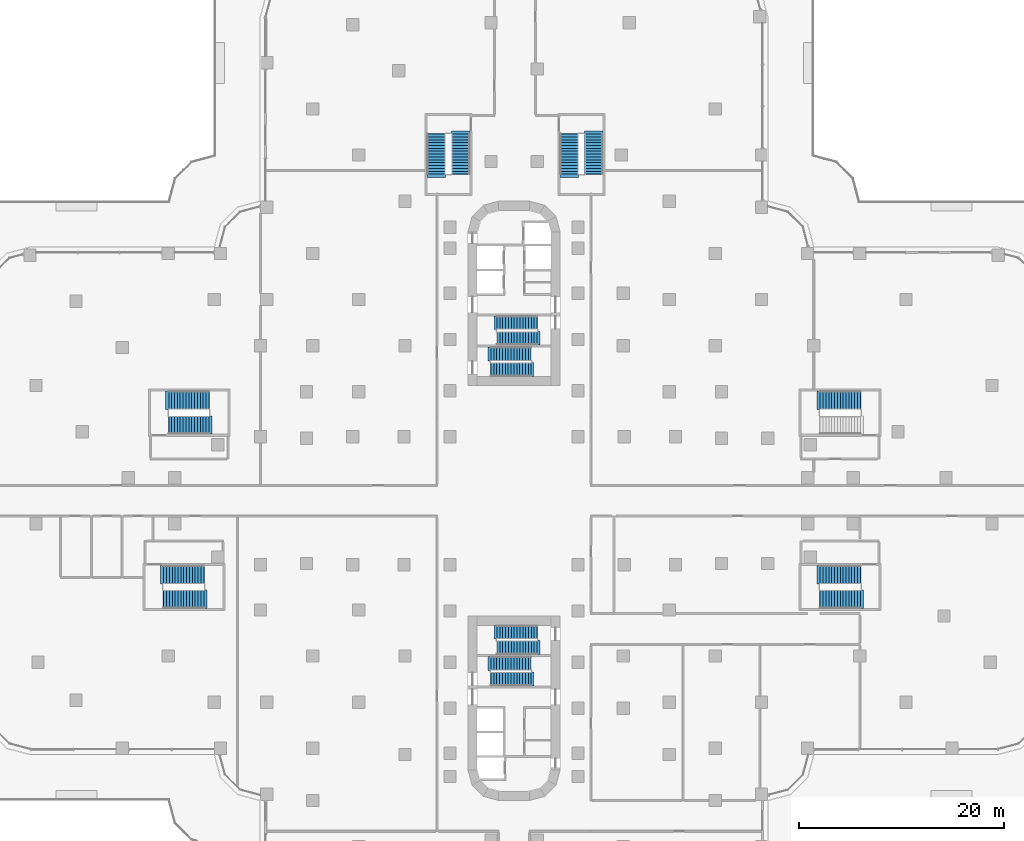
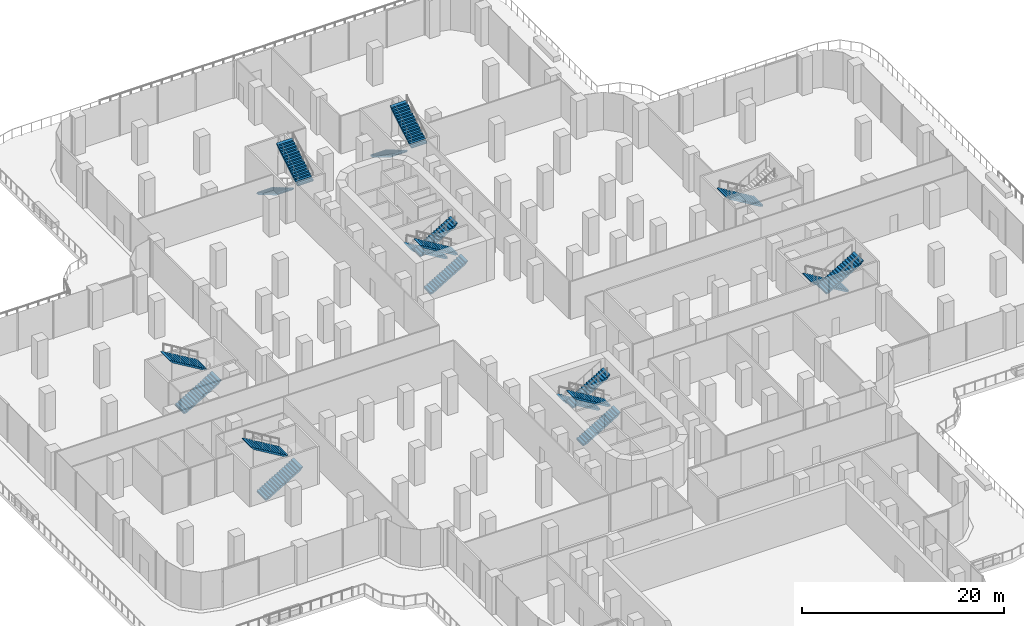
# One storey, part 23 of 30: 19 stair flights, 10 elements without a shape of their own.
"""IFC4 building model written with IfcOpenShell, lengths in metres."""

from ifc_helpers import new_model, si_unit, direction, frame, origin, place, context, subcontext, project, spatial, polyline, outline, extrude, material, type_object, element, aggregate, save


model = new_model("IFC4")

# Units and contexts
model_context = context("Model", 3, precision=1e-05, world=origin(), true_north=direction((0.0, 1.0)))
body_context = subcontext(model_context, "Body", "Model", "MODEL_VIEW")
ifc_project = project(units=[si_unit("LENGTHUNIT", "METRE"), si_unit("AREAUNIT", "SQUARE_METRE"), si_unit("VOLUMEUNIT", "CUBIC_METRE"), si_unit("PLANEANGLEUNIT", "RADIAN"), si_unit("MASSUNIT", "GRAM", prefix="KILO")], contexts=[model_context])

# Site, building, storey
site_placement = place(None, origin())
site = spatial("IfcSite", under=ifc_project, at=site_placement, CompositionType="ELEMENT")
building_placement = place(site_placement, origin())
building = spatial("IfcBuilding", under=site, at=building_placement, Name="Zarbagh Exchange Tower", CompositionType="ELEMENT")
storey_placement = place(building_placement, frame((0.0, 0.0, 7.0)))
storey = spatial("IfcBuildingStorey", under=building, at=storey_placement, Name="L01", CompositionType="ELEMENT", Elevation=7.0)

# Stair, stair flights
ifc_material = material(Name="Concrete C40/50", Category="concrete")
stair_type = type_object("IfcStairType", Name="Exit stair two-flight half-turn", PredefinedType="HALF_TURN_STAIR", material=ifc_material)
stair_1_placement = place(storey_placement, origin())
stair_1 = element("IfcStair", 1, at=stair_1_placement, inside=storey, type_object=stair_type, Name="exit stair ST1", PredefinedType="HALF_TURN_STAIR")
stair_flight_type_1 = type_object("IfcStairFlightType", Name="Stair flight 1350 mm", PredefinedType="STRAIGHT", material=ifc_material)
stair_flight_1_placement = place(storey_placement, frame((2.25, 17.375, 0.0), z_axis=(0.0, 0.0, 1.0), x_axis=(-1.0, 0.0, 0.0)))
stair_flight_1 = element("IfcStairFlight", 2, at=stair_flight_1_placement, type_object=stair_flight_type_1, Name="ST1 flight 1", NumberOfRisers=15, NumberOfTreads=14, PredefinedType="STRAIGHT", RiserHeight=0.166666667, TreadLength=0.28, context=body_context, shape_type="SweptSolid", body=[
    extrude(outline(polyline([(-0.050048828125, -0.050048828125), (-0.050048828125, 0.0), (0.0, 0.0), (0.0, 0.166748046875), (0.280029296875, 0.166748046875), (0.280029296875, 0.333251953125), (0.56005859375, 0.333251953125), (0.56005859375, 0.5), (0.840087890625, 0.5), (0.840087890625, 0.666748046875), (1.1201171875, 0.666748046875), (1.1201171875, 0.833251953125), (1.39990234375, 0.833251953125), (1.39990234375, 1.0), (1.679931640625, 1.0), (1.679931640625, 1.166748046875), (1.9599609375, 1.166748046875), (1.9599609375, 1.333251953125), (2.239990234375, 1.333251953125), (2.239990234375, 1.5), (2.52001953125, 1.5), (2.52001953125, 1.666748046875), (2.800048828125, 1.666748046875), (2.800048828125, 1.833251953125), (3.080078125, 1.833251953125), (3.080078125, 2.0), (3.360107421875, 2.0), (3.360107421875, 2.166748046875), (3.639892578125, 2.166748046875), (3.639892578125, 2.333251953125), (3.919921875, 2.333251953125), (3.919921875, 2.5), (4.219970703125, 2.580078125), (4.219970703125, 2.5), (3.919921875, 2.158935546875), (0.29296875, 0.0), (-0.050048828125, -0.050048828125)])), frame((0.0, 0.675048828125, 0.0), z_axis=(0.0, -1.0, 0.0), x_axis=(1.0, 0.0, 0.0)), (0.0, 0.0, 1.0), 1.35009765625),
])
stair_flight_2_placement = place(storey_placement, frame((-1.669921875, 15.875, 2.5), z_axis=(0.0, 0.0, 1.0), x_axis=(1.0, 0.0, 0.0)))
stair_flight_2 = element("IfcStairFlight", 3, at=stair_flight_2_placement, type_object=stair_flight_type_1, Name="ST1 flight 2", NumberOfRisers=15, NumberOfTreads=14, PredefinedType="STRAIGHT", RiserHeight=0.166666667, TreadLength=0.28, context=body_context, shape_type="SweptSolid", body=[
    extrude(outline(polyline([(-0.050048828125, -0.050048828125), (-0.050048828125, 0.0), (0.0, 0.0), (0.0, 0.166748046875), (0.280029296875, 0.166748046875), (0.280029296875, 0.333251953125), (0.56005859375, 0.333251953125), (0.56005859375, 0.5), (0.840087890625, 0.5), (0.840087890625, 0.666748046875), (1.1201171875, 0.666748046875), (1.1201171875, 0.833251953125), (1.39990234375, 0.833251953125), (1.39990234375, 1.0), (1.679931640625, 1.0), (1.679931640625, 1.166748046875), (1.9599609375, 1.166748046875), (1.9599609375, 1.333251953125), (2.239990234375, 1.333251953125), (2.239990234375, 1.5), (2.52001953125, 1.5), (2.52001953125, 1.666748046875), (2.800048828125, 1.666748046875), (2.800048828125, 1.833251953125), (3.080078125, 1.833251953125), (3.080078125, 2.0), (3.360107421875, 2.0), (3.360107421875, 2.166748046875), (3.639892578125, 2.166748046875), (3.639892578125, 2.333251953125), (3.919921875, 2.333251953125), (3.919921875, 2.5), (4.219970703125, 2.580078125), (4.219970703125, 2.5), (3.919921875, 2.158935546875), (0.29296875, 0.0), (-0.050048828125, -0.050048828125)])), frame((0.0, 0.675048828125, 0.0), z_axis=(0.0, -1.0, 0.0), x_axis=(1.0, 0.0, 0.0)), (0.0, 0.0, 1.0), 1.35009765625),
])
aggregate(stair_1, [stair_flight_1, stair_flight_2])

stair_2_placement = place(storey_placement, origin())
stair_2 = element("IfcStair", 4, at=stair_2_placement, inside=storey, type_object=stair_type, Name="exit stair ST2", PredefinedType="HALF_TURN_STAIR")
stair_flight_3_placement = place(storey_placement, frame((-2.25, 12.824951171875, 0.0), z_axis=(0.0, 0.0, 1.0), x_axis=(1.0, 0.0, 0.0)))
stair_flight_3 = element("IfcStairFlight", 5, at=stair_flight_3_placement, type_object=stair_flight_type_1, Name="ST2 flight 1", NumberOfRisers=15, NumberOfTreads=14, PredefinedType="STRAIGHT", RiserHeight=0.166666667, TreadLength=0.28, context=body_context, shape_type="SweptSolid", body=[
    extrude(outline(polyline([(-0.050048828125, -0.050048828125), (-0.050048828125, 0.0), (0.0, 0.0), (0.0, 0.166748046875), (0.280029296875, 0.166748046875), (0.280029296875, 0.333251953125), (0.56005859375, 0.333251953125), (0.56005859375, 0.5), (0.840087890625, 0.5), (0.840087890625, 0.666748046875), (1.1201171875, 0.666748046875), (1.1201171875, 0.833251953125), (1.39990234375, 0.833251953125), (1.39990234375, 1.0), (1.679931640625, 1.0), (1.679931640625, 1.166748046875), (1.9599609375, 1.166748046875), (1.9599609375, 1.333251953125), (2.239990234375, 1.333251953125), (2.239990234375, 1.5), (2.52001953125, 1.5), (2.52001953125, 1.666748046875), (2.800048828125, 1.666748046875), (2.800048828125, 1.833251953125), (3.080078125, 1.833251953125), (3.080078125, 2.0), (3.360107421875, 2.0), (3.360107421875, 2.166748046875), (3.639892578125, 2.166748046875), (3.639892578125, 2.333251953125), (3.919921875, 2.333251953125), (3.919921875, 2.5), (4.219970703125, 2.580078125), (4.219970703125, 2.5), (3.919921875, 2.158935546875), (0.29296875, 0.0), (-0.050048828125, -0.050048828125)])), frame((0.0, 0.675048828125, 0.0), z_axis=(0.0, -1.0, 0.0), x_axis=(1.0, 0.0, 0.0)), (0.0, 0.0, 1.0), 1.35009765625),
])
stair_flight_4_placement = place(storey_placement, frame((1.669921875, 14.324951171875, 2.5), z_axis=(0.0, 0.0, 1.0), x_axis=(-1.0, 0.0, 0.0)))
stair_flight_4 = element("IfcStairFlight", 6, at=stair_flight_4_placement, type_object=stair_flight_type_1, Name="ST2 flight 2", NumberOfRisers=15, NumberOfTreads=14, PredefinedType="STRAIGHT", RiserHeight=0.166666667, TreadLength=0.28, context=body_context, shape_type="SweptSolid", body=[
    extrude(outline(polyline([(-0.050048828125, -0.050048828125), (-0.050048828125, 0.0), (0.0, 0.0), (0.0, 0.166748046875), (0.280029296875, 0.166748046875), (0.280029296875, 0.333251953125), (0.56005859375, 0.333251953125), (0.56005859375, 0.5), (0.840087890625, 0.5), (0.840087890625, 0.666748046875), (1.1201171875, 0.666748046875), (1.1201171875, 0.833251953125), (1.39990234375, 0.833251953125), (1.39990234375, 1.0), (1.679931640625, 1.0), (1.679931640625, 1.166748046875), (1.9599609375, 1.166748046875), (1.9599609375, 1.333251953125), (2.239990234375, 1.333251953125), (2.239990234375, 1.5), (2.52001953125, 1.5), (2.52001953125, 1.666748046875), (2.800048828125, 1.666748046875), (2.800048828125, 1.833251953125), (3.080078125, 1.833251953125), (3.080078125, 2.0), (3.360107421875, 2.0), (3.360107421875, 2.166748046875), (3.639892578125, 2.166748046875), (3.639892578125, 2.333251953125), (3.919921875, 2.333251953125), (3.919921875, 2.5), (4.219970703125, 2.580078125), (4.219970703125, 2.5), (3.919921875, 2.158935546875), (0.29296875, 0.0), (-0.050048828125, -0.050048828125)])), frame((0.0, 0.675048828125, 0.0), z_axis=(0.0, -1.0, 0.0), x_axis=(1.0, 0.0, 0.0)), (0.0, 0.0, 1.0), 1.35009765625),
])
aggregate(stair_2, [stair_flight_3, stair_flight_4])

stair_3_placement = place(storey_placement, origin())
stair_3 = element("IfcStair", 7, at=stair_3_placement, inside=storey, type_object=stair_type, Name="exit stair ST3", PredefinedType="HALF_TURN_STAIR")
stair_flight_5_placement = place(storey_placement, frame((-2.25, -17.375, 0.0), z_axis=(0.0, 0.0, 1.0), x_axis=(1.0, 0.0, 0.0)))
stair_flight_5 = element("IfcStairFlight", 8, at=stair_flight_5_placement, type_object=stair_flight_type_1, Name="ST3 flight 1", NumberOfRisers=15, NumberOfTreads=14, PredefinedType="STRAIGHT", RiserHeight=0.166666667, TreadLength=0.28, context=body_context, shape_type="SweptSolid", body=[
    extrude(outline(polyline([(-0.050048828125, -0.050048828125), (-0.050048828125, 0.0), (0.0, 0.0), (0.0, 0.166748046875), (0.280029296875, 0.166748046875), (0.280029296875, 0.333251953125), (0.56005859375, 0.333251953125), (0.56005859375, 0.5), (0.840087890625, 0.5), (0.840087890625, 0.666748046875), (1.1201171875, 0.666748046875), (1.1201171875, 0.833251953125), (1.39990234375, 0.833251953125), (1.39990234375, 1.0), (1.679931640625, 1.0), (1.679931640625, 1.166748046875), (1.9599609375, 1.166748046875), (1.9599609375, 1.333251953125), (2.239990234375, 1.333251953125), (2.239990234375, 1.5), (2.52001953125, 1.5), (2.52001953125, 1.666748046875), (2.800048828125, 1.666748046875), (2.800048828125, 1.833251953125), (3.080078125, 1.833251953125), (3.080078125, 2.0), (3.360107421875, 2.0), (3.360107421875, 2.166748046875), (3.639892578125, 2.166748046875), (3.639892578125, 2.333251953125), (3.919921875, 2.333251953125), (3.919921875, 2.5), (4.219970703125, 2.580078125), (4.219970703125, 2.5), (3.919921875, 2.158935546875), (0.29296875, 0.0), (-0.050048828125, -0.050048828125)])), frame((0.0, 0.675048828125, 0.0), z_axis=(0.0, -1.0, 0.0), x_axis=(1.0, 0.0, 0.0)), (0.0, 0.0, 1.0), 1.35009765625),
])
stair_flight_6_placement = place(storey_placement, frame((1.669921875, -15.875, 2.5), z_axis=(0.0, 0.0, 1.0), x_axis=(-1.0, 0.0, 0.0)))
stair_flight_6 = element("IfcStairFlight", 9, at=stair_flight_6_placement, type_object=stair_flight_type_1, Name="ST3 flight 2", NumberOfRisers=15, NumberOfTreads=14, PredefinedType="STRAIGHT", RiserHeight=0.166666667, TreadLength=0.28, context=body_context, shape_type="SweptSolid", body=[
    extrude(outline(polyline([(-0.050048828125, -0.050048828125), (-0.050048828125, 0.0), (0.0, 0.0), (0.0, 0.166748046875), (0.280029296875, 0.166748046875), (0.280029296875, 0.333251953125), (0.56005859375, 0.333251953125), (0.56005859375, 0.5), (0.840087890625, 0.5), (0.840087890625, 0.666748046875), (1.1201171875, 0.666748046875), (1.1201171875, 0.833251953125), (1.39990234375, 0.833251953125), (1.39990234375, 1.0), (1.679931640625, 1.0), (1.679931640625, 1.166748046875), (1.9599609375, 1.166748046875), (1.9599609375, 1.333251953125), (2.239990234375, 1.333251953125), (2.239990234375, 1.5), (2.52001953125, 1.5), (2.52001953125, 1.666748046875), (2.800048828125, 1.666748046875), (2.800048828125, 1.833251953125), (3.080078125, 1.833251953125), (3.080078125, 2.0), (3.360107421875, 2.0), (3.360107421875, 2.166748046875), (3.639892578125, 2.166748046875), (3.639892578125, 2.333251953125), (3.919921875, 2.333251953125), (3.919921875, 2.5), (4.219970703125, 2.580078125), (4.219970703125, 2.5), (3.919921875, 2.158935546875), (0.29296875, 0.0), (-0.050048828125, -0.050048828125)])), frame((0.0, 0.675048828125, 0.0), z_axis=(0.0, -1.0, 0.0), x_axis=(1.0, 0.0, 0.0)), (0.0, 0.0, 1.0), 1.35009765625),
])
aggregate(stair_3, [stair_flight_5, stair_flight_6])

stair_4_placement = place(storey_placement, origin())
stair_4 = element("IfcStair", 10, at=stair_4_placement, inside=storey, type_object=stair_type, Name="exit stair ST4", PredefinedType="HALF_TURN_STAIR")
stair_flight_7_placement = place(storey_placement, frame((2.25, -12.824951171875, 0.0), z_axis=(0.0, 0.0, 1.0), x_axis=(-1.0, 0.0, 0.0)))
stair_flight_7 = element("IfcStairFlight", 11, at=stair_flight_7_placement, type_object=stair_flight_type_1, Name="ST4 flight 1", NumberOfRisers=15, NumberOfTreads=14, PredefinedType="STRAIGHT", RiserHeight=0.166666667, TreadLength=0.28, context=body_context, shape_type="SweptSolid", body=[
    extrude(outline(polyline([(-0.050048828125, -0.050048828125), (-0.050048828125, 0.0), (0.0, 0.0), (0.0, 0.166748046875), (0.280029296875, 0.166748046875), (0.280029296875, 0.333251953125), (0.56005859375, 0.333251953125), (0.56005859375, 0.5), (0.840087890625, 0.5), (0.840087890625, 0.666748046875), (1.1201171875, 0.666748046875), (1.1201171875, 0.833251953125), (1.39990234375, 0.833251953125), (1.39990234375, 1.0), (1.679931640625, 1.0), (1.679931640625, 1.166748046875), (1.9599609375, 1.166748046875), (1.9599609375, 1.333251953125), (2.239990234375, 1.333251953125), (2.239990234375, 1.5), (2.52001953125, 1.5), (2.52001953125, 1.666748046875), (2.800048828125, 1.666748046875), (2.800048828125, 1.833251953125), (3.080078125, 1.833251953125), (3.080078125, 2.0), (3.360107421875, 2.0), (3.360107421875, 2.166748046875), (3.639892578125, 2.166748046875), (3.639892578125, 2.333251953125), (3.919921875, 2.333251953125), (3.919921875, 2.5), (4.219970703125, 2.580078125), (4.219970703125, 2.5), (3.919921875, 2.158935546875), (0.29296875, 0.0), (-0.050048828125, -0.050048828125)])), frame((0.0, 0.675048828125, 0.0), z_axis=(0.0, -1.0, 0.0), x_axis=(1.0, 0.0, 0.0)), (0.0, 0.0, 1.0), 1.35009765625),
])
stair_flight_8_placement = place(storey_placement, frame((-1.669921875, -14.324951171875, 2.5), z_axis=(0.0, 0.0, 1.0), x_axis=(1.0, 0.0, 0.0)))
stair_flight_8 = element("IfcStairFlight", 12, at=stair_flight_8_placement, type_object=stair_flight_type_1, Name="ST4 flight 2", NumberOfRisers=15, NumberOfTreads=14, PredefinedType="STRAIGHT", RiserHeight=0.166666667, TreadLength=0.28, context=body_context, shape_type="SweptSolid", body=[
    extrude(outline(polyline([(-0.050048828125, -0.050048828125), (-0.050048828125, 0.0), (0.0, 0.0), (0.0, 0.166748046875), (0.280029296875, 0.166748046875), (0.280029296875, 0.333251953125), (0.56005859375, 0.333251953125), (0.56005859375, 0.5), (0.840087890625, 0.5), (0.840087890625, 0.666748046875), (1.1201171875, 0.666748046875), (1.1201171875, 0.833251953125), (1.39990234375, 0.833251953125), (1.39990234375, 1.0), (1.679931640625, 1.0), (1.679931640625, 1.166748046875), (1.9599609375, 1.166748046875), (1.9599609375, 1.333251953125), (2.239990234375, 1.333251953125), (2.239990234375, 1.5), (2.52001953125, 1.5), (2.52001953125, 1.666748046875), (2.800048828125, 1.666748046875), (2.800048828125, 1.833251953125), (3.080078125, 1.833251953125), (3.080078125, 2.0), (3.360107421875, 2.0), (3.360107421875, 2.166748046875), (3.639892578125, 2.166748046875), (3.639892578125, 2.333251953125), (3.919921875, 2.333251953125), (3.919921875, 2.5), (4.219970703125, 2.580078125), (4.219970703125, 2.5), (3.919921875, 2.158935546875), (0.29296875, 0.0), (-0.050048828125, -0.050048828125)])), frame((0.0, 0.675048828125, 0.0), z_axis=(0.0, -1.0, 0.0), x_axis=(1.0, 0.0, 0.0)), (0.0, 0.0, 1.0), 1.35009765625),
])
aggregate(stair_4, [stair_flight_7, stair_flight_8])

stair_5_placement = place(storey_placement, origin())
stair_5 = element("IfcStair", 13, at=stair_5_placement, inside=storey, type_object=stair_type, Name="exit stair PS1", PredefinedType="HALF_TURN_STAIR")
stair_flight_type_2 = type_object("IfcStairFlightType", Name="Stair flight 1800 mm", PredefinedType="STRAIGHT", material=ifc_material)
stair_flight_9_placement = place(storey_placement, frame((-7.60009765625, 35.800048828125, 0.0), z_axis=(0.0, 0.0, 1.0), x_axis=(0.0, -1.0, 0.0)))
stair_flight_9 = element("IfcStairFlight", 14, at=stair_flight_9_placement, type_object=stair_flight_type_2, Name="PS1 flight 1", NumberOfRisers=15, NumberOfTreads=14, PredefinedType="STRAIGHT", RiserHeight=0.166666667, TreadLength=0.28, context=body_context, shape_type="SweptSolid", body=[
    extrude(outline(polyline([(-0.050048828125, -0.050048828125), (-0.050048828125, 0.0), (0.0, 0.0), (0.0, 0.166748046875), (0.280029296875, 0.166748046875), (0.280029296875, 0.333251953125), (0.56005859375, 0.333251953125), (0.56005859375, 0.5), (0.840087890625, 0.5), (0.840087890625, 0.666748046875), (1.1201171875, 0.666748046875), (1.1201171875, 0.833251953125), (1.39990234375, 0.833251953125), (1.39990234375, 1.0), (1.679931640625, 1.0), (1.679931640625, 1.166748046875), (1.9599609375, 1.166748046875), (1.9599609375, 1.333251953125), (2.239990234375, 1.333251953125), (2.239990234375, 1.5), (2.52001953125, 1.5), (2.52001953125, 1.666748046875), (2.800048828125, 1.666748046875), (2.800048828125, 1.833251953125), (3.080078125, 1.833251953125), (3.080078125, 2.0), (3.360107421875, 2.0), (3.360107421875, 2.166748046875), (3.639892578125, 2.166748046875), (3.639892578125, 2.333251953125), (3.919921875, 2.333251953125), (3.919921875, 2.5), (4.219970703125, 2.580078125), (4.219970703125, 2.5), (3.919921875, 2.158935546875), (0.29296875, 0.0), (-0.050048828125, -0.050048828125)])), frame((0.0, 0.89990234375, 0.0), z_axis=(0.0, -1.0, 0.0), x_axis=(1.0, 0.0, 0.0)), (0.0, 0.0, 1.0), 1.800048828125),
])
stair_flight_10_placement = place(storey_placement, frame((-5.199951171875, 31.8798828125, 2.5), z_axis=(0.0, 0.0, 1.0), x_axis=(0.0, 1.0, 0.0)))
stair_flight_10 = element("IfcStairFlight", 15, at=stair_flight_10_placement, type_object=stair_flight_type_2, Name="PS1 flight 2", NumberOfRisers=15, NumberOfTreads=14, PredefinedType="STRAIGHT", RiserHeight=0.166666667, TreadLength=0.28, context=body_context, shape_type="SweptSolid", body=[
    extrude(outline(polyline([(-0.050048828125, -0.050048828125), (-0.050048828125, 0.0), (0.0, 0.0), (0.0, 0.166748046875), (0.280029296875, 0.166748046875), (0.280029296875, 0.333251953125), (0.56005859375, 0.333251953125), (0.56005859375, 0.5), (0.840087890625, 0.5), (0.840087890625, 0.666748046875), (1.1201171875, 0.666748046875), (1.1201171875, 0.833251953125), (1.39990234375, 0.833251953125), (1.39990234375, 1.0), (1.679931640625, 1.0), (1.679931640625, 1.166748046875), (1.9599609375, 1.166748046875), (1.9599609375, 1.333251953125), (2.239990234375, 1.333251953125), (2.239990234375, 1.5), (2.52001953125, 1.5), (2.52001953125, 1.666748046875), (2.800048828125, 1.666748046875), (2.800048828125, 1.833251953125), (3.080078125, 1.833251953125), (3.080078125, 2.0), (3.360107421875, 2.0), (3.360107421875, 2.166748046875), (3.639892578125, 2.166748046875), (3.639892578125, 2.333251953125), (3.919921875, 2.333251953125), (3.919921875, 2.5), (4.219970703125, 2.580078125), (4.219970703125, 2.5), (3.919921875, 2.158935546875), (0.29296875, 0.0), (-0.050048828125, -0.050048828125)])), frame((0.0, 0.89990234375, 0.0), z_axis=(0.0, -1.0, 0.0), x_axis=(1.0, 0.0, 0.0)), (0.0, 0.0, 1.0), 1.800048828125),
])
aggregate(stair_5, [stair_flight_9, stair_flight_10])

stair_6_placement = place(storey_placement, origin())
stair_6 = element("IfcStair", 16, at=stair_6_placement, inside=storey, type_object=stair_type, Name="exit stair PS2", PredefinedType="HALF_TURN_STAIR")
stair_flight_11_placement = place(storey_placement, frame((5.39990234375, 35.800048828125, 0.0), z_axis=(0.0, 0.0, 1.0), x_axis=(0.0, -1.0, 0.0)))
stair_flight_11 = element("IfcStairFlight", 17, at=stair_flight_11_placement, type_object=stair_flight_type_2, Name="PS2 flight 1", NumberOfRisers=15, NumberOfTreads=14, PredefinedType="STRAIGHT", RiserHeight=0.166666667, TreadLength=0.28, context=body_context, shape_type="SweptSolid", body=[
    extrude(outline(polyline([(-0.050048828125, -0.050048828125), (-0.050048828125, 0.0), (0.0, 0.0), (0.0, 0.166748046875), (0.280029296875, 0.166748046875), (0.280029296875, 0.333251953125), (0.56005859375, 0.333251953125), (0.56005859375, 0.5), (0.840087890625, 0.5), (0.840087890625, 0.666748046875), (1.1201171875, 0.666748046875), (1.1201171875, 0.833251953125), (1.39990234375, 0.833251953125), (1.39990234375, 1.0), (1.679931640625, 1.0), (1.679931640625, 1.166748046875), (1.9599609375, 1.166748046875), (1.9599609375, 1.333251953125), (2.239990234375, 1.333251953125), (2.239990234375, 1.5), (2.52001953125, 1.5), (2.52001953125, 1.666748046875), (2.800048828125, 1.666748046875), (2.800048828125, 1.833251953125), (3.080078125, 1.833251953125), (3.080078125, 2.0), (3.360107421875, 2.0), (3.360107421875, 2.166748046875), (3.639892578125, 2.166748046875), (3.639892578125, 2.333251953125), (3.919921875, 2.333251953125), (3.919921875, 2.5), (4.219970703125, 2.580078125), (4.219970703125, 2.5), (3.919921875, 2.158935546875), (0.29296875, 0.0), (-0.050048828125, -0.050048828125)])), frame((0.0, 0.89990234375, 0.0), z_axis=(0.0, -1.0, 0.0), x_axis=(1.0, 0.0, 0.0)), (0.0, 0.0, 1.0), 1.800048828125),
])
stair_flight_12_placement = place(storey_placement, frame((7.800048828125, 31.8798828125, 2.5), z_axis=(0.0, 0.0, 1.0), x_axis=(0.0, 1.0, 0.0)))
stair_flight_12 = element("IfcStairFlight", 18, at=stair_flight_12_placement, type_object=stair_flight_type_2, Name="PS2 flight 2", NumberOfRisers=15, NumberOfTreads=14, PredefinedType="STRAIGHT", RiserHeight=0.166666667, TreadLength=0.28, context=body_context, shape_type="SweptSolid", body=[
    extrude(outline(polyline([(-0.050048828125, -0.050048828125), (-0.050048828125, 0.0), (0.0, 0.0), (0.0, 0.166748046875), (0.280029296875, 0.166748046875), (0.280029296875, 0.333251953125), (0.56005859375, 0.333251953125), (0.56005859375, 0.5), (0.840087890625, 0.5), (0.840087890625, 0.666748046875), (1.1201171875, 0.666748046875), (1.1201171875, 0.833251953125), (1.39990234375, 0.833251953125), (1.39990234375, 1.0), (1.679931640625, 1.0), (1.679931640625, 1.166748046875), (1.9599609375, 1.166748046875), (1.9599609375, 1.333251953125), (2.239990234375, 1.333251953125), (2.239990234375, 1.5), (2.52001953125, 1.5), (2.52001953125, 1.666748046875), (2.800048828125, 1.666748046875), (2.800048828125, 1.833251953125), (3.080078125, 1.833251953125), (3.080078125, 2.0), (3.360107421875, 2.0), (3.360107421875, 2.166748046875), (3.639892578125, 2.166748046875), (3.639892578125, 2.333251953125), (3.919921875, 2.333251953125), (3.919921875, 2.5), (4.219970703125, 2.580078125), (4.219970703125, 2.5), (3.919921875, 2.158935546875), (0.29296875, 0.0), (-0.050048828125, -0.050048828125)])), frame((0.0, 0.89990234375, 0.0), z_axis=(0.0, -1.0, 0.0), x_axis=(1.0, 0.0, 0.0)), (0.0, 0.0, 1.0), 1.800048828125),
])
aggregate(stair_6, [stair_flight_11, stair_flight_12])

# Stair, stair flight
stair_7_placement = place(storey_placement, origin())
stair_7 = element("IfcStair", 19, at=stair_7_placement, inside=storey, type_object=stair_type, Name="exit stair PS3", PredefinedType="HALF_TURN_STAIR")
stair_flight_13_placement = place(storey_placement, frame((33.800048828125, 9.800048828125, 0.0), z_axis=(0.0, 0.0, 1.0), x_axis=(-1.0, 0.0, 0.0)))
stair_flight_13 = element("IfcStairFlight", 20, at=stair_flight_13_placement, type_object=stair_flight_type_2, Name="PS3 flight 1", NumberOfRisers=15, NumberOfTreads=14, PredefinedType="STRAIGHT", RiserHeight=0.166666667, TreadLength=0.28, context=body_context, shape_type="SweptSolid", body=[
    extrude(outline(polyline([(-0.050048828125, -0.050048828125), (-0.050048828125, 0.0), (0.0, 0.0), (0.0, 0.166748046875), (0.280029296875, 0.166748046875), (0.280029296875, 0.333251953125), (0.56005859375, 0.333251953125), (0.56005859375, 0.5), (0.840087890625, 0.5), (0.840087890625, 0.666748046875), (1.1201171875, 0.666748046875), (1.1201171875, 0.833251953125), (1.39990234375, 0.833251953125), (1.39990234375, 1.0), (1.679931640625, 1.0), (1.679931640625, 1.166748046875), (1.9599609375, 1.166748046875), (1.9599609375, 1.333251953125), (2.239990234375, 1.333251953125), (2.239990234375, 1.5), (2.52001953125, 1.5), (2.52001953125, 1.666748046875), (2.800048828125, 1.666748046875), (2.800048828125, 1.833251953125), (3.080078125, 1.833251953125), (3.080078125, 2.0), (3.360107421875, 2.0), (3.360107421875, 2.166748046875), (3.639892578125, 2.166748046875), (3.639892578125, 2.333251953125), (3.919921875, 2.333251953125), (3.919921875, 2.5), (4.219970703125, 2.580078125), (4.219970703125, 2.5), (3.919921875, 2.158935546875), (0.29296875, 0.0), (-0.050048828125, -0.050048828125)])), frame((0.0, 0.89990234375, 0.0), z_axis=(0.0, -1.0, 0.0), x_axis=(1.0, 0.0, 0.0)), (0.0, 0.0, 1.0), 1.800048828125),
])
aggregate(stair_7, [stair_flight_13])

# Stair, stair flights
stair_8_placement = place(storey_placement, origin())
stair_8 = element("IfcStair", 21, at=stair_8_placement, inside=storey, type_object=stair_type, Name="exit stair PS4", PredefinedType="HALF_TURN_STAIR")
stair_flight_14_placement = place(storey_placement, frame((-34.199951171875, -9.60009765625, 0.0), z_axis=(0.0, 0.0, 1.0), x_axis=(1.0, 0.0, 0.0)))
stair_flight_14 = element("IfcStairFlight", 22, at=stair_flight_14_placement, type_object=stair_flight_type_2, Name="PS4 flight 1", NumberOfRisers=15, NumberOfTreads=14, PredefinedType="STRAIGHT", RiserHeight=0.166666667, TreadLength=0.28, context=body_context, shape_type="SweptSolid", body=[
    extrude(outline(polyline([(-0.050048828125, -0.050048828125), (-0.050048828125, 0.0), (0.0, 0.0), (0.0, 0.166748046875), (0.280029296875, 0.166748046875), (0.280029296875, 0.333251953125), (0.56005859375, 0.333251953125), (0.56005859375, 0.5), (0.840087890625, 0.5), (0.840087890625, 0.666748046875), (1.1201171875, 0.666748046875), (1.1201171875, 0.833251953125), (1.39990234375, 0.833251953125), (1.39990234375, 1.0), (1.679931640625, 1.0), (1.679931640625, 1.166748046875), (1.9599609375, 1.166748046875), (1.9599609375, 1.333251953125), (2.239990234375, 1.333251953125), (2.239990234375, 1.5), (2.52001953125, 1.5), (2.52001953125, 1.666748046875), (2.800048828125, 1.666748046875), (2.800048828125, 1.833251953125), (3.080078125, 1.833251953125), (3.080078125, 2.0), (3.360107421875, 2.0), (3.360107421875, 2.166748046875), (3.639892578125, 2.166748046875), (3.639892578125, 2.333251953125), (3.919921875, 2.333251953125), (3.919921875, 2.5), (4.219970703125, 2.580078125), (4.219970703125, 2.5), (3.919921875, 2.158935546875), (0.29296875, 0.0), (-0.050048828125, -0.050048828125)])), frame((0.0, 0.89990234375, 0.0), z_axis=(0.0, -1.0, 0.0), x_axis=(1.0, 0.0, 0.0)), (0.0, 0.0, 1.0), 1.800048828125),
])
stair_flight_15_placement = place(storey_placement, frame((-30.280029296875, -7.199951171875, 2.5), z_axis=(0.0, 0.0, 1.0), x_axis=(-1.0, 0.0, 0.0)))
stair_flight_15 = element("IfcStairFlight", 23, at=stair_flight_15_placement, type_object=stair_flight_type_2, Name="PS4 flight 2", NumberOfRisers=15, NumberOfTreads=14, PredefinedType="STRAIGHT", RiserHeight=0.166666667, TreadLength=0.28, context=body_context, shape_type="SweptSolid", body=[
    extrude(outline(polyline([(-0.050048828125, -0.050048828125), (-0.050048828125, 0.0), (0.0, 0.0), (0.0, 0.166748046875), (0.280029296875, 0.166748046875), (0.280029296875, 0.333251953125), (0.56005859375, 0.333251953125), (0.56005859375, 0.5), (0.840087890625, 0.5), (0.840087890625, 0.666748046875), (1.1201171875, 0.666748046875), (1.1201171875, 0.833251953125), (1.39990234375, 0.833251953125), (1.39990234375, 1.0), (1.679931640625, 1.0), (1.679931640625, 1.166748046875), (1.9599609375, 1.166748046875), (1.9599609375, 1.333251953125), (2.239990234375, 1.333251953125), (2.239990234375, 1.5), (2.52001953125, 1.5), (2.52001953125, 1.666748046875), (2.800048828125, 1.666748046875), (2.800048828125, 1.833251953125), (3.080078125, 1.833251953125), (3.080078125, 2.0), (3.360107421875, 2.0), (3.360107421875, 2.166748046875), (3.639892578125, 2.166748046875), (3.639892578125, 2.333251953125), (3.919921875, 2.333251953125), (3.919921875, 2.5), (4.219970703125, 2.580078125), (4.219970703125, 2.5), (3.919921875, 2.158935546875), (0.29296875, 0.0), (-0.050048828125, -0.050048828125)])), frame((0.0, 0.89990234375, 0.0), z_axis=(0.0, -1.0, 0.0), x_axis=(1.0, 0.0, 0.0)), (0.0, 0.0, 1.0), 1.800048828125),
])
aggregate(stair_8, [stair_flight_14, stair_flight_15])

stair_9_placement = place(storey_placement, origin())
stair_9 = element("IfcStair", 24, at=stair_9_placement, inside=storey, type_object=stair_type, Name="exit stair PS5", PredefinedType="HALF_TURN_STAIR")
stair_flight_16_placement = place(storey_placement, frame((-33.699951171875, 7.39990234375, 0.0), z_axis=(0.0, 0.0, 1.0), x_axis=(1.0, 0.0, 0.0)))
stair_flight_16 = element("IfcStairFlight", 25, at=stair_flight_16_placement, type_object=stair_flight_type_2, Name="PS5 flight 1", NumberOfRisers=15, NumberOfTreads=14, PredefinedType="STRAIGHT", RiserHeight=0.166666667, TreadLength=0.28, context=body_context, shape_type="SweptSolid", body=[
    extrude(outline(polyline([(-0.050048828125, -0.050048828125), (-0.050048828125, 0.0), (0.0, 0.0), (0.0, 0.166748046875), (0.280029296875, 0.166748046875), (0.280029296875, 0.333251953125), (0.56005859375, 0.333251953125), (0.56005859375, 0.5), (0.840087890625, 0.5), (0.840087890625, 0.666748046875), (1.1201171875, 0.666748046875), (1.1201171875, 0.833251953125), (1.39990234375, 0.833251953125), (1.39990234375, 1.0), (1.679931640625, 1.0), (1.679931640625, 1.166748046875), (1.9599609375, 1.166748046875), (1.9599609375, 1.333251953125), (2.239990234375, 1.333251953125), (2.239990234375, 1.5), (2.52001953125, 1.5), (2.52001953125, 1.666748046875), (2.800048828125, 1.666748046875), (2.800048828125, 1.833251953125), (3.080078125, 1.833251953125), (3.080078125, 2.0), (3.360107421875, 2.0), (3.360107421875, 2.166748046875), (3.639892578125, 2.166748046875), (3.639892578125, 2.333251953125), (3.919921875, 2.333251953125), (3.919921875, 2.5), (4.219970703125, 2.580078125), (4.219970703125, 2.5), (3.919921875, 2.158935546875), (0.29296875, 0.0), (-0.050048828125, -0.050048828125)])), frame((0.0, 0.89990234375, 0.0), z_axis=(0.0, -1.0, 0.0), x_axis=(1.0, 0.0, 0.0)), (0.0, 0.0, 1.0), 1.800048828125),
])
stair_flight_17_placement = place(storey_placement, frame((-29.780029296875, 9.800048828125, 2.5), z_axis=(0.0, 0.0, 1.0), x_axis=(-1.0, 0.0, 0.0)))
stair_flight_17 = element("IfcStairFlight", 26, at=stair_flight_17_placement, type_object=stair_flight_type_2, Name="PS5 flight 2", NumberOfRisers=15, NumberOfTreads=14, PredefinedType="STRAIGHT", RiserHeight=0.166666667, TreadLength=0.28, context=body_context, shape_type="SweptSolid", body=[
    extrude(outline(polyline([(-0.050048828125, -0.050048828125), (-0.050048828125, 0.0), (0.0, 0.0), (0.0, 0.166748046875), (0.280029296875, 0.166748046875), (0.280029296875, 0.333251953125), (0.56005859375, 0.333251953125), (0.56005859375, 0.5), (0.840087890625, 0.5), (0.840087890625, 0.666748046875), (1.1201171875, 0.666748046875), (1.1201171875, 0.833251953125), (1.39990234375, 0.833251953125), (1.39990234375, 1.0), (1.679931640625, 1.0), (1.679931640625, 1.166748046875), (1.9599609375, 1.166748046875), (1.9599609375, 1.333251953125), (2.239990234375, 1.333251953125), (2.239990234375, 1.5), (2.52001953125, 1.5), (2.52001953125, 1.666748046875), (2.800048828125, 1.666748046875), (2.800048828125, 1.833251953125), (3.080078125, 1.833251953125), (3.080078125, 2.0), (3.360107421875, 2.0), (3.360107421875, 2.166748046875), (3.639892578125, 2.166748046875), (3.639892578125, 2.333251953125), (3.919921875, 2.333251953125), (3.919921875, 2.5), (4.219970703125, 2.580078125), (4.219970703125, 2.5), (3.919921875, 2.158935546875), (0.29296875, 0.0), (-0.050048828125, -0.050048828125)])), frame((0.0, 0.89990234375, 0.0), z_axis=(0.0, -1.0, 0.0), x_axis=(1.0, 0.0, 0.0)), (0.0, 0.0, 1.0), 1.800048828125),
])
aggregate(stair_9, [stair_flight_16, stair_flight_17])

stair_10_placement = place(storey_placement, origin())
stair_10 = element("IfcStair", 27, at=stair_10_placement, inside=storey, type_object=stair_type, Name="exit stair PS6", PredefinedType="HALF_TURN_STAIR")
stair_flight_18_placement = place(storey_placement, frame((33.800048828125, -7.199951171875, 0.0), z_axis=(0.0, 0.0, 1.0), x_axis=(-1.0, 0.0, 0.0)))
stair_flight_18 = element("IfcStairFlight", 28, at=stair_flight_18_placement, type_object=stair_flight_type_2, Name="PS6 flight 1", NumberOfRisers=15, NumberOfTreads=14, PredefinedType="STRAIGHT", RiserHeight=0.166666667, TreadLength=0.28, context=body_context, shape_type="SweptSolid", body=[
    extrude(outline(polyline([(-0.050048828125, -0.050048828125), (-0.050048828125, 0.0), (0.0, 0.0), (0.0, 0.166748046875), (0.280029296875, 0.166748046875), (0.280029296875, 0.333251953125), (0.56005859375, 0.333251953125), (0.56005859375, 0.5), (0.840087890625, 0.5), (0.840087890625, 0.666748046875), (1.1201171875, 0.666748046875), (1.1201171875, 0.833251953125), (1.39990234375, 0.833251953125), (1.39990234375, 1.0), (1.679931640625, 1.0), (1.679931640625, 1.166748046875), (1.9599609375, 1.166748046875), (1.9599609375, 1.333251953125), (2.239990234375, 1.333251953125), (2.239990234375, 1.5), (2.52001953125, 1.5), (2.52001953125, 1.666748046875), (2.800048828125, 1.666748046875), (2.800048828125, 1.833251953125), (3.080078125, 1.833251953125), (3.080078125, 2.0), (3.360107421875, 2.0), (3.360107421875, 2.166748046875), (3.639892578125, 2.166748046875), (3.639892578125, 2.333251953125), (3.919921875, 2.333251953125), (3.919921875, 2.5), (4.219970703125, 2.580078125), (4.219970703125, 2.5), (3.919921875, 2.158935546875), (0.29296875, 0.0), (-0.050048828125, -0.050048828125)])), frame((0.0, 0.89990234375, 0.0), z_axis=(0.0, -1.0, 0.0), x_axis=(1.0, 0.0, 0.0)), (0.0, 0.0, 1.0), 1.800048828125),
])
stair_flight_19_placement = place(storey_placement, frame((29.8798828125, -9.60009765625, 2.5), z_axis=(0.0, 0.0, 1.0), x_axis=(1.0, 0.0, 0.0)))
stair_flight_19 = element("IfcStairFlight", 29, at=stair_flight_19_placement, type_object=stair_flight_type_2, Name="PS6 flight 2", NumberOfRisers=15, NumberOfTreads=14, PredefinedType="STRAIGHT", RiserHeight=0.166666667, TreadLength=0.28, context=body_context, shape_type="SweptSolid", body=[
    extrude(outline(polyline([(-0.050048828125, -0.050048828125), (-0.050048828125, 0.0), (0.0, 0.0), (0.0, 0.166748046875), (0.280029296875, 0.166748046875), (0.280029296875, 0.333251953125), (0.56005859375, 0.333251953125), (0.56005859375, 0.5), (0.840087890625, 0.5), (0.840087890625, 0.666748046875), (1.1201171875, 0.666748046875), (1.1201171875, 0.833251953125), (1.39990234375, 0.833251953125), (1.39990234375, 1.0), (1.679931640625, 1.0), (1.679931640625, 1.166748046875), (1.9599609375, 1.166748046875), (1.9599609375, 1.333251953125), (2.239990234375, 1.333251953125), (2.239990234375, 1.5), (2.52001953125, 1.5), (2.52001953125, 1.666748046875), (2.800048828125, 1.666748046875), (2.800048828125, 1.833251953125), (3.080078125, 1.833251953125), (3.080078125, 2.0), (3.360107421875, 2.0), (3.360107421875, 2.166748046875), (3.639892578125, 2.166748046875), (3.639892578125, 2.333251953125), (3.919921875, 2.333251953125), (3.919921875, 2.5), (4.219970703125, 2.580078125), (4.219970703125, 2.5), (3.919921875, 2.158935546875), (0.29296875, 0.0), (-0.050048828125, -0.050048828125)])), frame((0.0, 0.89990234375, 0.0), z_axis=(0.0, -1.0, 0.0), x_axis=(1.0, 0.0, 0.0)), (0.0, 0.0, 1.0), 1.800048828125),
])
aggregate(stair_10, [stair_flight_18, stair_flight_19])

save(model, "model.ifc")
